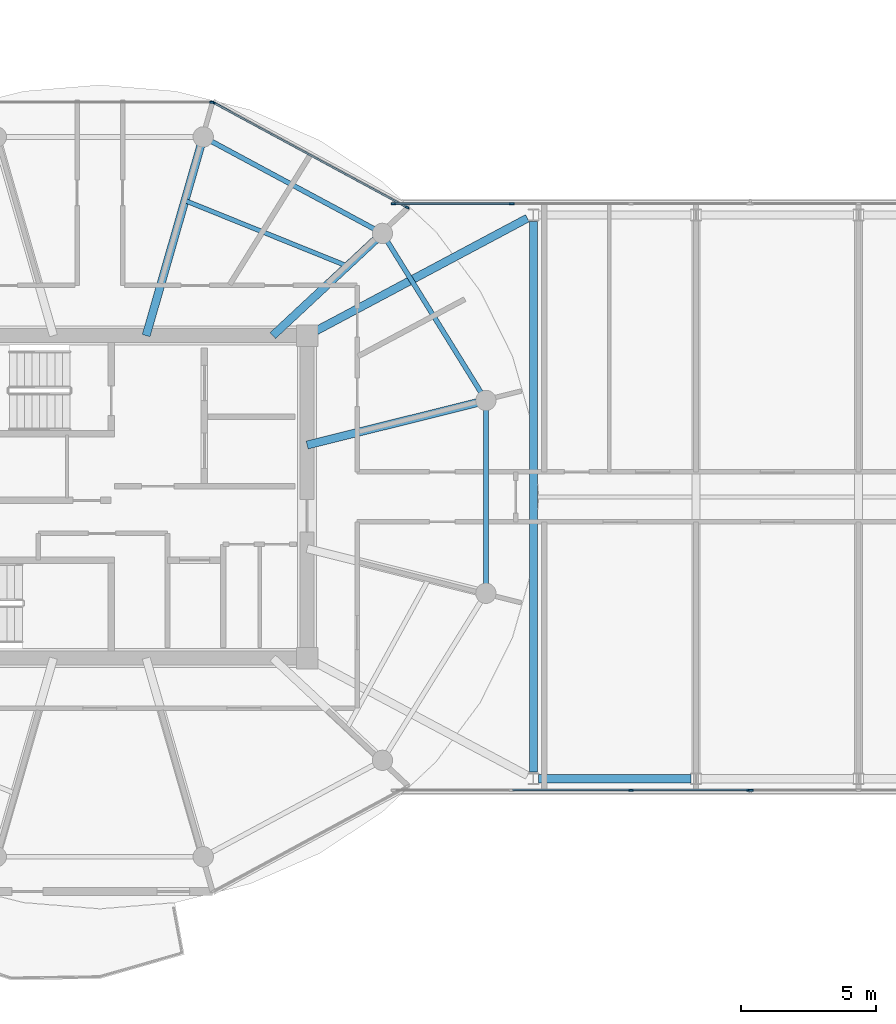
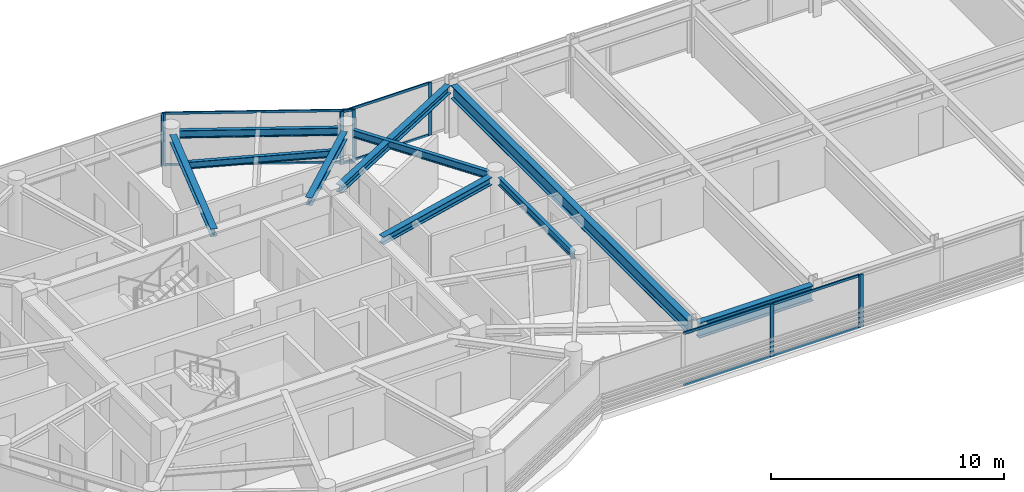
# One storey, part 5 of 24: 16 members, 10 beams, 5 elements without a shape of their own.
"""IFC4 building model written with IfcOpenShell, lengths in metres."""

from ifc_helpers import new_model, si_unit, direction, frame, origin, origin_2d, place, context, subcontext, project, spatial, rectangle, i_section, extrude, source, transform, mapped, material, layer, layer_set, material_profile, profile_set, type_object, type_shapes, element, aggregate, save


model = new_model("IFC4")

# Units and contexts
model_context = context("Model", 3, precision=1e-05, world=origin(), true_north=direction((0.0, 1.0)))
body_context = subcontext(model_context, "Body", "Model", "MODEL_VIEW")
ifc_project = project(units=[si_unit("LENGTHUNIT", "METRE"), si_unit("AREAUNIT", "SQUARE_METRE"), si_unit("VOLUMEUNIT", "CUBIC_METRE"), si_unit("PLANEANGLEUNIT", "RADIAN"), si_unit("MASSUNIT", "GRAM", prefix="KILO")], contexts=[model_context])

# Site, building, storey
site_placement = place(None, origin())
site = spatial("IfcSite", under=ifc_project, at=site_placement, CompositionType="ELEMENT")
building_placement = place(site_placement, origin())
building = spatial("IfcBuilding", under=site, at=building_placement, Name="Norrkilde Senior Care Towers", CompositionType="ELEMENT")
storey_placement = place(building_placement, frame((0.0, 0.0, 223.050048828125)))
storey = spatial("IfcBuildingStorey", under=building, at=storey_placement, Name="L69", CompositionType="ELEMENT", Elevation=223.050048828125)

# Beams
ifc_material_1 = material(Name="Steel S355", Category="steel")
ifc_material_profile_1 = material_profile(ifc_material_1, i_section(OverallWidth=0.179931640625, OverallDepth=0.39990234375, WebThickness=0.008544921875, FlangeThickness=0.013427734375, FilletRadius=0.02099609375, at=origin_2d()), Name="IPE 400")
ifc_profile_set_1 = profile_set([ifc_material_profile_1], Name="Steel S355")
beam_type_1 = type_object("IfcBeamType", Name="Perimeter Ring Spandrel Z4 IPE400", PredefinedType="SPANDREL", material=ifc_profile_set_1)
shared_shape_1 = source(origin(), body_context, "Body", "SweptSolid", [
    extrude(i_section(OverallWidth=0.179931640625, OverallDepth=0.39990234375, WebThickness=0.008544921875, FlangeThickness=0.013427734375, FilletRadius=0.02099609375, at=origin_2d()), origin(), (0.0, 0.0, 1.0), 6.58056640625),
])
beam_1_placement = place(storey_placement, frame((-13.928955078125, 3.843505859375, 2.56005859375), z_axis=(-0.526529583789, 0.850156807533, 0.0), x_axis=(-0.850156807533, -0.526529583789, 0.0)))
element("IfcBeam", 1, at=beam_1_placement, inside=storey, type_object=beam_type_1, Name="L69 Drum W Perimeter Spandrel 01", PredefinedType="SPANDREL", context=body_context, shape_type="MappedRepresentation", body=[
    mapped(shared_shape_1, transform((0.0, 0.0, 0.0), x_axis=(1.0, 0.0, 0.0), y_axis=(0.0, 1.0, 0.0), z_axis=(0.0, 0.0, 1.0), scale=1.0)),
])
ifc_material_profile_2 = material_profile(ifc_material_1, i_section(OverallWidth=0.300048828125, OverallDepth=0.39990234375, WebThickness=0.013427734375, FlangeThickness=0.02392578125, FilletRadius=0.027099609375, at=origin_2d()), Name="HEB 400")
ifc_profile_set_2 = profile_set([ifc_material_profile_2], Name="Steel S355")
beam_type_2 = type_object("IfcBeamType", Name="Radial Floor Beam Z4 HEB400", PredefinedType="BEAM", material=ifc_profile_set_2)
shared_shape_2 = source(origin(), body_context, "Body", "SweptSolid", [
    extrude(i_section(OverallWidth=0.300048828125, OverallDepth=0.39990234375, WebThickness=0.013427734375, FlangeThickness=0.02392578125, FilletRadius=0.027099609375, at=origin_2d()), origin(), (0.0, 0.0, 1.0), 6.465087890625),
])
beam_2_placement = place(storey_placement, frame((-20.35009765625, 1.910888671875, 2.56005859375), z_axis=(0.970195788563, 0.242322371758, 0.0), x_axis=(-0.242322371758, 0.970195788563, 0.0)))
element("IfcBeam", 2, at=beam_2_placement, inside=storey, type_object=beam_type_2, Name="L69 Drum W Radial Floor Beam 01", PredefinedType="BEAM", context=body_context, shape_type="MappedRepresentation", body=[
    mapped(shared_shape_2, transform((0.0, 0.0, 0.0), x_axis=(1.0, 0.0, 0.0), y_axis=(0.0, 1.0, 0.0), z_axis=(0.0, 0.0, 1.0), scale=1.0)),
])
shared_shape_3 = source(origin(), body_context, "Body", "SweptSolid", [
    extrude(i_section(OverallWidth=0.179931640625, OverallDepth=0.39990234375, WebThickness=0.008544921875, FlangeThickness=0.013427734375, FilletRadius=0.02099609375, at=origin_2d()), origin(), (0.0, 0.0, 1.0), 6.839111328125),
])
beam_3_placement = place(storey_placement, frame((-17.865234375, 9.881591796875, 2.56005859375), z_axis=(-0.880563930732, 0.473927382511, 0.0), x_axis=(-0.473927382511, -0.880563930732, 0.0)))
element("IfcBeam", 3, at=beam_3_placement, inside=storey, type_object=beam_type_1, Name="L69 Drum W Perimeter Spandrel 02", PredefinedType="SPANDREL", context=body_context, shape_type="MappedRepresentation", body=[
    mapped(shared_shape_3, transform((0.0, 0.0, 0.0), x_axis=(1.0, 0.0, 0.0), y_axis=(0.0, 1.0, 0.0), z_axis=(0.0, 0.0, 1.0), scale=1.0)),
])
shared_shape_4 = source(origin(), body_context, "Body", "SweptSolid", [
    extrude(i_section(OverallWidth=0.300048828125, OverallDepth=0.39990234375, WebThickness=0.013427734375, FlangeThickness=0.02392578125, FilletRadius=0.027099609375, at=origin_2d()), origin(), (0.0, 0.0, 1.0), 5.197998046875),
])
beam_4_placement = place(storey_placement, frame((-21.6171875, 5.949951171875, 2.56005859375), z_axis=(0.731448749334, 0.681896419625, 0.0), x_axis=(-0.681896419625, 0.731448749334, 0.0)))
element("IfcBeam", 4, at=beam_4_placement, inside=storey, type_object=beam_type_2, Name="L69 Drum W Radial Floor Beam 02", PredefinedType="BEAM", context=body_context, shape_type="MappedRepresentation", body=[
    mapped(shared_shape_4, transform((0.0, 0.0, 0.0), x_axis=(1.0, 0.0, 0.0), y_axis=(0.0, 1.0, 0.0), z_axis=(0.0, 0.0, 1.0), scale=1.0)),
])
shared_shape_5 = source(origin(), body_context, "Body", "SweptSolid", [
    extrude(i_section(OverallWidth=0.300048828125, OverallDepth=0.39990234375, WebThickness=0.013427734375, FlangeThickness=0.02392578125, FilletRadius=0.027099609375, at=origin_2d()), origin(), (0.0, 0.0, 1.0), 7.29345703125),
])
beam_5_placement = place(storey_placement, frame((-26.289794921875, 5.949951171875, 2.56005859375), z_axis=(0.276263751906, 0.961081858836, 0.0), x_axis=(-0.961081858836, 0.276263751906, 0.0)))
element("IfcBeam", 5, at=beam_5_placement, inside=storey, type_object=beam_type_2, Name="L69 Drum W Radial Floor Beam 03", PredefinedType="BEAM", context=body_context, shape_type="MappedRepresentation", body=[
    mapped(shared_shape_5, transform((0.0, 0.0, 0.0), x_axis=(1.0, 0.0, 0.0), y_axis=(0.0, 1.0, 0.0), z_axis=(0.0, 0.0, 1.0), scale=1.0)),
])
shared_shape_6 = source(origin(), body_context, "Body", "SweptSolid", [
    extrude(i_section(OverallWidth=0.179931640625, OverallDepth=0.39990234375, WebThickness=0.008544921875, FlangeThickness=0.013427734375, FilletRadius=0.02099609375, at=origin_2d()), origin(), (0.0, 0.0, 1.0), 6.44775390625),
])
type_shapes(beam_type_1, [shared_shape_1, shared_shape_3, shared_shape_6])
beam_6_placement = place(storey_placement, frame((-13.752685546875, -3.223876953125, 2.56005859375), z_axis=(0.0, 1.0, 0.0), x_axis=(-1.0, 0.0, 0.0)))
element("IfcBeam", 6, at=beam_6_placement, inside=storey, type_object=beam_type_1, Name="L69 Drum W Perimeter Spandrel 12", PredefinedType="SPANDREL", context=body_context, shape_type="MappedRepresentation", body=[
    mapped(shared_shape_6, transform((0.0, 0.0, 0.0), x_axis=(1.0, 0.0, 0.0), y_axis=(0.0, 1.0, 0.0), z_axis=(0.0, 0.0, 1.0), scale=1.0)),
])
ifc_material_profile_3 = material_profile(ifc_material_1, i_section(OverallWidth=0.169921875, OverallDepth=0.360107421875, WebThickness=0.008056640625, FlangeThickness=0.0126953125, FilletRadius=0.01806640625, at=origin_2d()), Name="IPE 360")
ifc_profile_set_3 = profile_set([ifc_material_profile_3], Name="Steel S355")
beam_type_3 = type_object("IfcBeamType", Name="Secondary Floor Joist IPE360", PredefinedType="JOIST", material=ifc_profile_set_3)
shared_shape_7 = source(origin(), body_context, "Body", "SweptSolid", [
    extrude(i_section(OverallWidth=0.169921875, OverallDepth=0.360107421875, WebThickness=0.008056640625, FlangeThickness=0.0126953125, FilletRadius=0.01806640625, at=origin_2d()), origin(), (0.0, 0.0, 1.0), 6.461669921875),
])
type_shapes(beam_type_3, [shared_shape_7])
beam_7_placement = place(storey_placement, frame((-18.865234375, 8.515380859375, 2.579833984375), z_axis=(-0.927225942298, 0.374502405772, 0.0), x_axis=(-0.374502405772, -0.927225942298, 0.0)))
element("IfcBeam", 7, at=beam_7_placement, inside=storey, type_object=beam_type_3, Name="L69 Drum W Secondary Floor Joist 1", PredefinedType="JOIST", context=body_context, shape_type="MappedRepresentation", body=[
    mapped(shared_shape_7, transform((0.0, 0.0, 0.0), x_axis=(1.0, 0.0, 0.0), y_axis=(0.0, 1.0, 0.0), z_axis=(0.0, 0.0, 1.0), scale=1.0)),
])
ifc_material_profile_4 = material_profile(ifc_material_1, i_section(OverallWidth=0.300048828125, OverallDepth=0.699951171875, WebThickness=0.01708984375, FlangeThickness=0.031982421875, FilletRadius=0.027099609375, at=origin_2d()), Name="HEB 700")
ifc_profile_set_4 = profile_set([ifc_material_profile_4], Name="Steel S355")
beam_type_4 = type_object("IfcBeamType", Name="Bridge Cross Girder HEB700", PredefinedType="USERDEFINED", material=ifc_profile_set_4)
shared_shape_8 = source(origin(), body_context, "Body", "SweptSolid", [
    extrude(i_section(OverallWidth=0.300048828125, OverallDepth=0.699951171875, WebThickness=0.01708984375, FlangeThickness=0.031982421875, FilletRadius=0.027099609375, at=origin_2d()), origin(), (0.0, 0.0, 1.0), 20.31982421875),
])
type_shapes(beam_type_4, [shared_shape_8])
beam_8_placement = place(storey_placement, frame((-12.0, -10.159912109375, 2.409912109375), z_axis=(0.0, 1.0, 0.0), x_axis=(-1.0, 0.0, 0.0)))
element("IfcBeam", 8, at=beam_8_placement, inside=storey, type_object=beam_type_4, Name="L69 Sky-Gate Bridge Cross Girder -12", ObjectType="GIRDER", PredefinedType="USERDEFINED", context=body_context, shape_type="MappedRepresentation", body=[
    mapped(shared_shape_8, transform((0.0, 0.0, 0.0), x_axis=(1.0, 0.0, 0.0), y_axis=(0.0, 1.0, 0.0), z_axis=(0.0, 0.0, 1.0), scale=1.0)),
])
shared_shape_9 = source(origin(), body_context, "Body", "SweptSolid", [
    extrude(i_section(OverallWidth=0.300048828125, OverallDepth=0.39990234375, WebThickness=0.013427734375, FlangeThickness=0.02392578125, FilletRadius=0.027099609375, at=origin_2d()), origin(), (0.0, 0.0, 1.0), 8.831787109375),
])
type_shapes(beam_type_2, [shared_shape_2, shared_shape_4, shared_shape_5, shared_shape_9])
beam_9_placement = place(storey_placement, frame((-20.0146484375, 6.128662109375, 2.56005859375), z_axis=(0.882492172381, 0.470327083727, 0.0), x_axis=(-0.470327083727, 0.882492172381, 0.0)))
element("IfcBeam", 9, at=beam_9_placement, inside=storey, type_object=beam_type_2, Name="L69 Sky-Gate Bridge Girder N1", PredefinedType="BEAM", context=body_context, shape_type="MappedRepresentation", body=[
    mapped(shared_shape_9, transform((0.0, 0.0, 0.0), x_axis=(1.0, 0.0, 0.0), y_axis=(0.0, 1.0, 0.0), z_axis=(0.0, 0.0, 1.0), scale=1.0)),
])
ifc_material_profile_5 = material_profile(ifc_material_1, i_section(OverallWidth=0.300048828125, OverallDepth=0.800048828125, WebThickness=0.017578125, FlangeThickness=0.032958984375, FilletRadius=0.030029296875, at=origin_2d()), Name="HEB 800")
ifc_profile_set_5 = profile_set([ifc_material_profile_5], Name="Steel S355")
beam_type_5 = type_object("IfcBeamType", Name="Bridge Floor Girder HEB800", PredefinedType="USERDEFINED", material=ifc_profile_set_5)
shared_shape_10 = source(origin(), body_context, "Body", "SweptSolid", [
    extrude(i_section(OverallWidth=0.300048828125, OverallDepth=0.800048828125, WebThickness=0.017578125, FlangeThickness=0.032958984375, FilletRadius=0.030029296875, at=origin_2d()), origin(), (0.0, 0.0, 1.0), 5.64013671875),
])
type_shapes(beam_type_5, [shared_shape_10])
beam_10_placement = place(storey_placement, frame((-11.820068359375, -10.39990234375, 2.35986328125), z_axis=(1.0, 0.0, 0.0), x_axis=(0.0, 1.0, 0.0)))
element("IfcBeam", 10, at=beam_10_placement, inside=storey, type_object=beam_type_5, Name="L69 Sky-Gate Bridge Girder S2", ObjectType="GIRDER", PredefinedType="USERDEFINED", context=body_context, shape_type="MappedRepresentation", body=[
    mapped(shared_shape_10, transform((0.0, 0.0, 0.0), x_axis=(1.0, 0.0, 0.0), y_axis=(0.0, 1.0, 0.0), z_axis=(0.0, 0.0, 1.0), scale=1.0)),
])

# Curtain wall, members
ifc_material_2 = material(Name="Triple Low-E Insulated Glazing", Category="glass")
ifc_layer_1 = layer(ifc_material_2, 0.18505859375)
ifc_layer_set_1 = layer_set([ifc_layer_1], Name="Triple Low-E Insulated Glazing")
curtain_wall_type_1 = type_object("IfcCurtainWallType", Name="CW6 Zone 4 Crown Pavilion Curtain Wall", PredefinedType="NOTDEFINED", material=ifc_layer_set_1)
curtain_wall_1_placement = place(storey_placement, origin())
curtain_wall_1 = element("IfcCurtainWall", 11, at=curtain_wall_1_placement, inside=storey, type_object=curtain_wall_type_1, Name="L69 Drum W Curtain Wall 01", PredefinedType="NOTDEFINED")
ifc_material_3 = material(Name="Anodised Aluminium", Category="aluminium")
ifc_material_profile_6 = material_profile(ifc_material_3, rectangle(XDim=0.06005859375, YDim=0.1201171875, at=origin_2d()), Name="ALU TRAN 60x120")
ifc_profile_set_6 = profile_set([ifc_material_profile_6], Name="Anodised Aluminium")
member_type_1 = type_object("IfcMemberType", Name="Curtain Wall Transom Typical 60x120", PredefinedType="USERDEFINED", material=ifc_profile_set_6)
shared_shape_11 = source(origin(), body_context, "Body", "SweptSolid", [
    extrude(rectangle(XDim=0.06005859375, YDim=0.1201171875, at=origin_2d()), origin(), (0.0, 0.0, 1.0), 8.0673828125),
])
type_shapes(member_type_1, [shared_shape_11])
member_1_placement = place(storey_placement, frame((-23.781005859375, 14.53515625, 0.030029296875), z_axis=(0.87937750072, -0.476125205411, 0.0), x_axis=(0.476125205411, 0.87937750072, 0.0)))
member_1 = element("IfcMember", 12, at=member_1_placement, type_object=member_type_1, Name="CW-6 transom 1.1", ObjectType="TRANSOM", PredefinedType="USERDEFINED", context=body_context, shape_type="MappedRepresentation", body=[
    mapped(shared_shape_11, transform((0.0, 0.0, 0.0), x_axis=(1.0, 0.0, 0.0), y_axis=(0.0, 1.0, 0.0), z_axis=(0.0, 0.0, 1.0), scale=1.0)),
])
member_2_placement = place(storey_placement, frame((-23.781005859375, 14.53515625, 2.72998046875), z_axis=(0.87937750072, -0.476125205411, 0.0), x_axis=(0.476125205411, 0.87937750072, 0.0)))
member_2 = element("IfcMember", 13, at=member_2_placement, type_object=member_type_1, Name="CW-6 transom 1.2", ObjectType="TRANSOM", PredefinedType="USERDEFINED", context=body_context, shape_type="MappedRepresentation", body=[
    mapped(shared_shape_11, transform((0.0, 0.0, 0.0), x_axis=(1.0, 0.0, 0.0), y_axis=(0.0, 1.0, 0.0), z_axis=(0.0, 0.0, 1.0), scale=1.0)),
])
ifc_material_profile_7 = material_profile(ifc_material_3, rectangle(XDim=0.06494140625, YDim=0.14990234375, at=origin_2d()), Name="ALU MULL 65x150")
ifc_profile_set_7 = profile_set([ifc_material_profile_7], Name="Anodised Aluminium")
member_type_2 = type_object("IfcMemberType", Name="Curtain Wall Mullion Z3-Z4 65x150", PredefinedType="MULLION", material=ifc_profile_set_7)
shared_shape_12 = source(origin(), body_context, "Body", "SweptSolid", [
    extrude(rectangle(XDim=0.06494140625, YDim=0.14990234375, at=origin_2d()), origin(), (0.0, 0.0, 1.0), 2.760009765625),
])
type_shapes(member_type_2, [shared_shape_12])
member_3_placement = place(storey_placement, frame((-23.8095703125, 14.55078125, 0.0), z_axis=(0.0, 0.0, 1.0), x_axis=(0.476132676136, 0.879373455772, 0.0)))
member_3 = element("IfcMember", 14, at=member_3_placement, type_object=member_type_2, Name="CW-6 mullion 1", PredefinedType="MULLION", context=body_context, shape_type="MappedRepresentation", body=[
    mapped(shared_shape_12, transform((0.0, 0.0, 0.0), x_axis=(1.0, 0.0, 0.0), y_axis=(0.0, 1.0, 0.0), z_axis=(0.0, 0.0, 1.0), scale=1.0)),
])
member_4_placement = place(storey_placement, frame((-16.658203125, 10.6787109375, 0.0), z_axis=(0.0, 0.0, 1.0), x_axis=(0.476132676136, 0.879373455772, 0.0)))
member_4 = element("IfcMember", 15, at=member_4_placement, type_object=member_type_2, Name="CW-6 mullion 2", PredefinedType="MULLION", context=body_context, shape_type="MappedRepresentation", body=[
    mapped(shared_shape_12, transform((0.0, 0.0, 0.0), x_axis=(1.0, 0.0, 0.0), y_axis=(0.0, 1.0, 0.0), z_axis=(0.0, 0.0, 1.0), scale=1.0)),
])
aggregate(curtain_wall_1, [member_3, member_4, member_1, member_2])

# Curtain wall, member
curtain_wall_2_placement = place(storey_placement, origin())
curtain_wall_2 = element("IfcCurtainWall", 16, at=curtain_wall_2_placement, inside=storey, type_object=curtain_wall_type_1, Name="L69 Drum W Curtain Wall 02", PredefinedType="NOTDEFINED")
member_5_placement = place(storey_placement, frame((-23.87060546875, 14.566162109375, 0.0), z_axis=(0.0, 0.0, 1.0), x_axis=(0.0, 1.0, 0.0)))
member_5 = element("IfcMember", 17, at=member_5_placement, type_object=member_type_2, Name="CW-6 mullion 2", PredefinedType="MULLION", context=body_context, shape_type="MappedRepresentation", body=[
    mapped(shared_shape_12, transform((0.0, 0.0, 0.0), x_axis=(1.0, 0.0, 0.0), y_axis=(0.0, 1.0, 0.0), z_axis=(0.0, 0.0, 1.0), scale=1.0)),
])
aggregate(curtain_wall_2, [member_5])

# Curtain wall, members
ifc_layer_2 = layer(ifc_material_2, 0.2099609375)
ifc_layer_set_2 = layer_set([ifc_layer_2], Name="Triple Low-E Insulated Glazing")
curtain_wall_type_2 = type_object("IfcCurtainWallType", Name="CW5 Sky-Gate Bridge Curtain Wall", PredefinedType="NOTDEFINED", material=ifc_layer_set_2)
curtain_wall_3_placement = place(storey_placement, origin())
curtain_wall_3 = element("IfcCurtainWall", 18, at=curtain_wall_3_placement, inside=storey, type_object=curtain_wall_type_2, Name="L69 Sky-Gate Bridge North Curtain Wall 1", PredefinedType="NOTDEFINED")
ifc_material_profile_8 = material_profile(ifc_material_3, rectangle(XDim=0.06494140625, YDim=0.1298828125, at=origin_2d()), Name="ALU TRAN 65x130")
ifc_profile_set_8 = profile_set([ifc_material_profile_8], Name="Anodised Aluminium")
member_type_3 = type_object("IfcMemberType", Name="Curtain Wall Transom Heavy 65x130", PredefinedType="USERDEFINED", material=ifc_profile_set_8)
shared_shape_13 = source(origin(), body_context, "Body", "SweptSolid", [
    extrude(rectangle(XDim=0.06494140625, YDim=0.1298828125, at=origin_2d()), origin(), (0.0, 0.0, 1.0), 4.294921875),
])
member_6_placement = place(storey_placement, frame((-17.1298828125, 10.820068359375, 0.032470703125), z_axis=(1.0, 0.0, 0.0), x_axis=(0.0, 1.0, 0.0)))
member_6 = element("IfcMember", 19, at=member_6_placement, type_object=member_type_3, Name="CW-5 transom 1.1", ObjectType="TRANSOM", PredefinedType="USERDEFINED", context=body_context, shape_type="MappedRepresentation", body=[
    mapped(shared_shape_13, transform((0.0, 0.0, 0.0), x_axis=(1.0, 0.0, 0.0), y_axis=(0.0, 1.0, 0.0), z_axis=(0.0, 0.0, 1.0), scale=1.0)),
])
member_7_placement = place(storey_placement, frame((-17.1298828125, 10.820068359375, 2.7275390625), z_axis=(1.0, 0.0, 0.0), x_axis=(0.0, 1.0, 0.0)))
member_7 = element("IfcMember", 20, at=member_7_placement, type_object=member_type_3, Name="CW-5 transom 1.2", ObjectType="TRANSOM", PredefinedType="USERDEFINED", context=body_context, shape_type="MappedRepresentation", body=[
    mapped(shared_shape_13, transform((0.0, 0.0, 0.0), x_axis=(1.0, 0.0, 0.0), y_axis=(0.0, 1.0, 0.0), z_axis=(0.0, 0.0, 1.0), scale=1.0)),
])

curtain_wall_4_placement = place(storey_placement, origin())
curtain_wall_4 = element("IfcCurtainWall", 21, at=curtain_wall_4_placement, inside=storey, type_object=curtain_wall_type_2, Name="L69 Sky-Gate Bridge South Curtain Wall 3", PredefinedType="NOTDEFINED")
member_8_placement = place(storey_placement, frame((-4.070068359375, -10.820068359375, 0.032470703125), z_axis=(-1.0, 0.0, 0.0), x_axis=(0.0, -1.0, 0.0)))
member_8 = element("IfcMember", 22, at=member_8_placement, type_object=member_type_3, Name="CW-5 transom 1.1", ObjectType="TRANSOM", PredefinedType="USERDEFINED", context=body_context, shape_type="MappedRepresentation", body=[
    mapped(shared_shape_13, transform((0.0, 0.0, 0.0), x_axis=(1.0, 0.0, 0.0), y_axis=(0.0, 1.0, 0.0), z_axis=(0.0, 0.0, 1.0), scale=1.0)),
])
member_9_placement = place(storey_placement, frame((-4.070068359375, -10.820068359375, 2.7275390625), z_axis=(-1.0, 0.0, 0.0), x_axis=(0.0, -1.0, 0.0)))
member_9 = element("IfcMember", 23, at=member_9_placement, type_object=member_type_3, Name="CW-5 transom 1.2", ObjectType="TRANSOM", PredefinedType="USERDEFINED", context=body_context, shape_type="MappedRepresentation", body=[
    mapped(shared_shape_13, transform((0.0, 0.0, 0.0), x_axis=(1.0, 0.0, 0.0), y_axis=(0.0, 1.0, 0.0), z_axis=(0.0, 0.0, 1.0), scale=1.0)),
])
shared_shape_14 = source(origin(), body_context, "Body", "SweptSolid", [
    extrude(rectangle(XDim=0.06494140625, YDim=0.1298828125, at=origin_2d()), origin(), (0.0, 0.0, 1.0), 4.329833984375),
])
type_shapes(member_type_3, [shared_shape_13, shared_shape_14])
member_10_placement = place(storey_placement, frame((-8.43505859375, -10.820068359375, 0.032470703125), z_axis=(-1.0, 0.0, 0.0), x_axis=(0.0, -1.0, 0.0)))
member_10 = element("IfcMember", 24, at=member_10_placement, type_object=member_type_3, Name="CW-5 transom 2.1", ObjectType="TRANSOM", PredefinedType="USERDEFINED", context=body_context, shape_type="MappedRepresentation", body=[
    mapped(shared_shape_14, transform((0.0, 0.0, 0.0), x_axis=(1.0, 0.0, 0.0), y_axis=(0.0, 1.0, 0.0), z_axis=(0.0, 0.0, 1.0), scale=1.0)),
])
member_11_placement = place(storey_placement, frame((-8.43505859375, -10.820068359375, 2.7275390625), z_axis=(-1.0, 0.0, 0.0), x_axis=(0.0, -1.0, 0.0)))
member_11 = element("IfcMember", 25, at=member_11_placement, type_object=member_type_3, Name="CW-5 transom 2.2", ObjectType="TRANSOM", PredefinedType="USERDEFINED", context=body_context, shape_type="MappedRepresentation", body=[
    mapped(shared_shape_14, transform((0.0, 0.0, 0.0), x_axis=(1.0, 0.0, 0.0), y_axis=(0.0, 1.0, 0.0), z_axis=(0.0, 0.0, 1.0), scale=1.0)),
])

# Member
ifc_material_profile_9 = material_profile(ifc_material_3, rectangle(XDim=0.070068359375, YDim=0.169921875, at=origin_2d()), Name="ALU MULL 70x170")
ifc_profile_set_9 = profile_set([ifc_material_profile_9], Name="Anodised Aluminium")
member_type_4 = type_object("IfcMemberType", Name="Curtain Wall Mullion Heavy 70x170", PredefinedType="MULLION", material=ifc_profile_set_9)
shared_shape_15 = source(origin(), body_context, "Body", "SweptSolid", [
    extrude(rectangle(XDim=0.070068359375, YDim=0.169921875, at=origin_2d()), origin(), (0.0, 0.0, 1.0), 2.760009765625),
])
type_shapes(member_type_4, [shared_shape_15])
member_12_placement = place(storey_placement, frame((-17.1650390625, 10.820068359375, 0.0), z_axis=(0.0, 0.0, 1.0), x_axis=(0.0, 1.0, 0.0)))
member_12 = element("IfcMember", 26, at=member_12_placement, type_object=member_type_4, Name="CW-5 mullion 1", PredefinedType="MULLION", context=body_context, shape_type="MappedRepresentation", body=[
    mapped(shared_shape_15, transform((0.0, 0.0, 0.0), x_axis=(1.0, 0.0, 0.0), y_axis=(0.0, 1.0, 0.0), z_axis=(0.0, 0.0, 1.0), scale=1.0)),
])

member_13_placement = place(storey_placement, frame((-12.800048828125, 10.820068359375, 0.0), z_axis=(0.0, 0.0, 1.0), x_axis=(0.0, 1.0, 0.0)))
member_13 = element("IfcMember", 27, at=member_13_placement, type_object=member_type_4, Name="CW-5 mullion 2", PredefinedType="MULLION", context=body_context, shape_type="MappedRepresentation", body=[
    mapped(shared_shape_15, transform((0.0, 0.0, 0.0), x_axis=(1.0, 0.0, 0.0), y_axis=(0.0, 1.0, 0.0), z_axis=(0.0, 0.0, 1.0), scale=1.0)),
])

aggregate(curtain_wall_3, [member_12, member_13, member_6, member_7])

# Curtain wall, member
curtain_wall_5_placement = place(storey_placement, origin())
curtain_wall_5 = element("IfcCurtainWall", 28, at=curtain_wall_5_placement, inside=storey, type_object=curtain_wall_type_2, Name="L69 Sky-Gate Bridge South Curtain Wall 2", PredefinedType="NOTDEFINED")
member_14_placement = place(storey_placement, frame((-3.965087890625, -10.820068359375, 0.0), z_axis=(0.0, 0.0, 1.0), x_axis=(0.0, -1.0, 0.0)))
member_14 = element("IfcMember", 29, at=member_14_placement, type_object=member_type_4, Name="CW-5 mullion 3", PredefinedType="MULLION", context=body_context, shape_type="MappedRepresentation", body=[
    mapped(shared_shape_15, transform((0.0, 0.0, 0.0), x_axis=(1.0, 0.0, 0.0), y_axis=(0.0, 1.0, 0.0), z_axis=(0.0, 0.0, 1.0), scale=1.0)),
])
aggregate(curtain_wall_5, [member_14])

# Member
member_15_placement = place(storey_placement, frame((-4.034912109375, -10.820068359375, 0.0), z_axis=(0.0, 0.0, 1.0), x_axis=(0.0, -1.0, 0.0)))
member_15 = element("IfcMember", 30, at=member_15_placement, type_object=member_type_4, Name="CW-5 mullion 1", PredefinedType="MULLION", context=body_context, shape_type="MappedRepresentation", body=[
    mapped(shared_shape_15, transform((0.0, 0.0, 0.0), x_axis=(1.0, 0.0, 0.0), y_axis=(0.0, 1.0, 0.0), z_axis=(0.0, 0.0, 1.0), scale=1.0)),
])

member_16_placement = place(storey_placement, frame((-8.39990234375, -10.820068359375, 0.0), z_axis=(0.0, 0.0, 1.0), x_axis=(0.0, -1.0, 0.0)))
member_16 = element("IfcMember", 31, at=member_16_placement, type_object=member_type_4, Name="CW-5 mullion 2", PredefinedType="MULLION", context=body_context, shape_type="MappedRepresentation", body=[
    mapped(shared_shape_15, transform((0.0, 0.0, 0.0), x_axis=(1.0, 0.0, 0.0), y_axis=(0.0, 1.0, 0.0), z_axis=(0.0, 0.0, 1.0), scale=1.0)),
])

aggregate(curtain_wall_4, [member_15, member_16, member_8, member_9, member_10, member_11])

save(model, "model.ifc")
